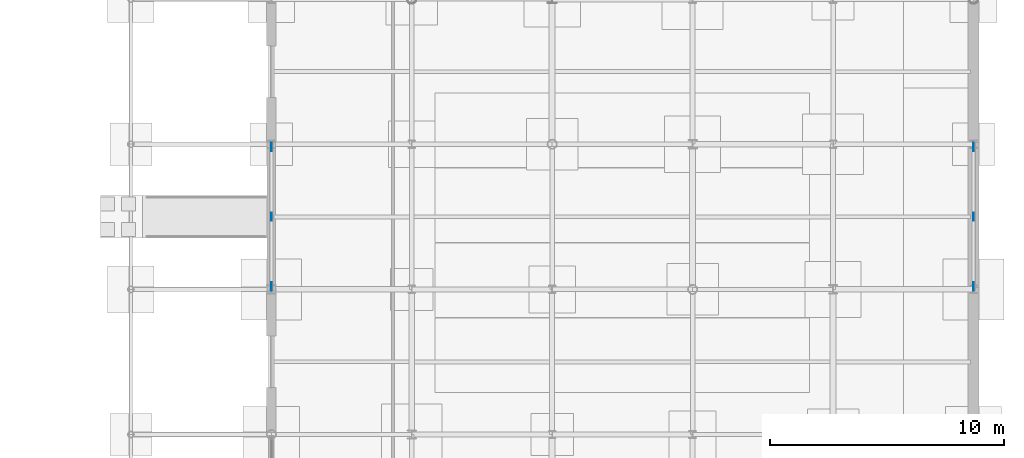
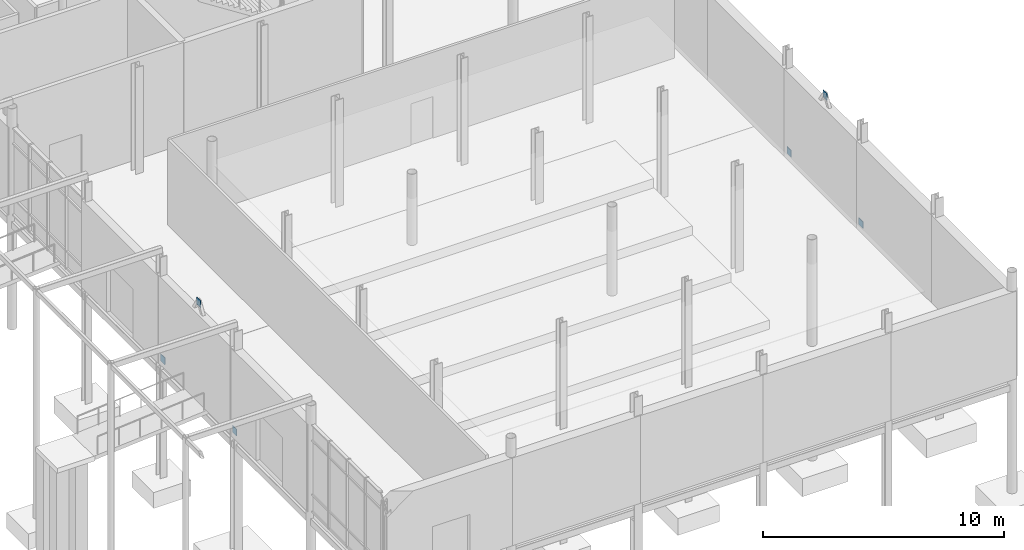
# One storey, part 83 of 98: 6 discrete accessories.
"""IFC4 building model written with IfcOpenShell, lengths in metres."""

from ifc_helpers import new_model, si_unit, direction, frame, origin, origin_2d, place, context, subcontext, project, spatial, rectangle, extrude, material, type_object, element, save


model = new_model("IFC4")

# Units and contexts
model_context = context("Model", 3, precision=1e-05, world=origin(), true_north=direction((0.0, 1.0)))
body_context = subcontext(model_context, "Body", "Model", "MODEL_VIEW")
ifc_project = project(units=[si_unit("LENGTHUNIT", "METRE"), si_unit("AREAUNIT", "SQUARE_METRE"), si_unit("VOLUMEUNIT", "CUBIC_METRE"), si_unit("PLANEANGLEUNIT", "RADIAN"), si_unit("MASSUNIT", "GRAM", prefix="KILO")], contexts=[model_context])

# Site, building, storey
site_placement = place(None, origin())
site = spatial("IfcSite", under=ifc_project, at=site_placement, CompositionType="ELEMENT")
building_placement = place(site_placement, origin())
building = spatial("IfcBuilding", under=site, at=building_placement, Name="Mirzam Square Science Centre", CompositionType="ELEMENT")
storey_placement = place(building_placement, origin())
storey = spatial("IfcBuildingStorey", under=building, at=storey_placement, Name="L00", CompositionType="ELEMENT", Elevation=0.0)

# Discrete accessories
ifc_material = material(Name="Steel S355", Category="steel")
discrete_accessory_type = type_object("IfcDiscreteAccessoryType", Name="BK-BRACE-GUSSET", PredefinedType="BRACKET", material=ifc_material)
for number, where, z_axis, x_axis, name in (
    (1, (132.0, 12.52001953125, -0.005126953125), (0.0, 0.0, 1.0), (0.0, 1.0, 0.0), "L00 brace gusset plate 6A"),
    (2, (132.0, 18.47998046875, -0.005126953125), (0.0, 0.0, 1.0), (0.0, 1.0, 0.0), "L00 brace gusset plate 6B"),
    (3, (132.0, 15.5, 4.679931640625), (0.0, 0.0, 1.0), (0.0, 1.0, 0.0), "L00 brace apex gusset plate 6"),
    (4, (162.0, 12.52001953125, -0.005126953125), (0.0, 0.0, 1.0), (0.0, 1.0, 0.0), "L00 brace gusset plate 7A"),
    (5, (162.0, 18.47998046875, -0.005126953125), (0.0, 0.0, 1.0), (0.0, 1.0, 0.0), "L00 brace gusset plate 7B"),
    (6, (162.0, 15.5, 4.679931640625), (0.0, 0.0, 1.0), (0.0, 1.0, 0.0), "L00 brace apex gusset plate 7"),
):
    element("IfcDiscreteAccessory", number, at=place(storey_placement, frame(where, z_axis=z_axis, x_axis=x_axis)), inside=storey, type_object=discrete_accessory_type, Name=name, PredefinedType="BRACKET", context=body_context, shape_type="SweptSolid", body=[
        extrude(rectangle(XDim=0.35009765625, YDim=0.02490234375, at=origin_2d()), origin(), (0.0, 0.0, 1.0), 0.35009765625),
    ])

save(model, "model.ifc")
